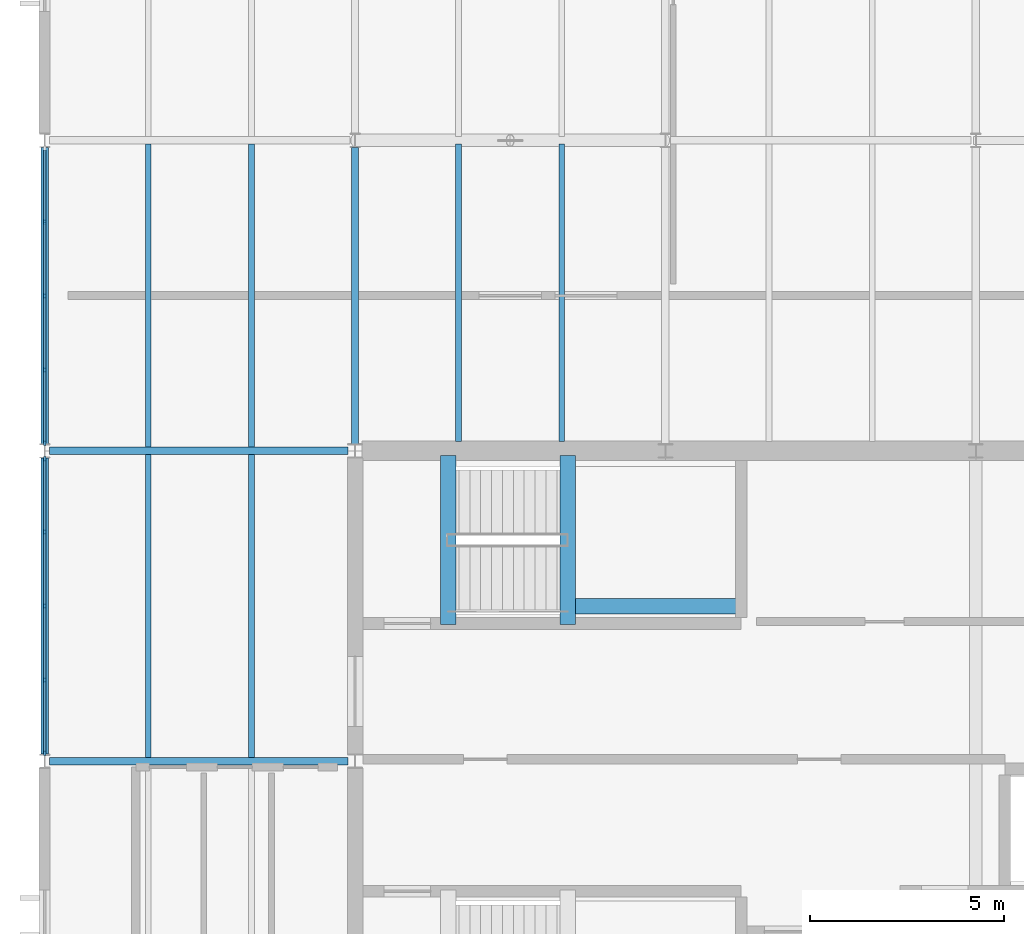
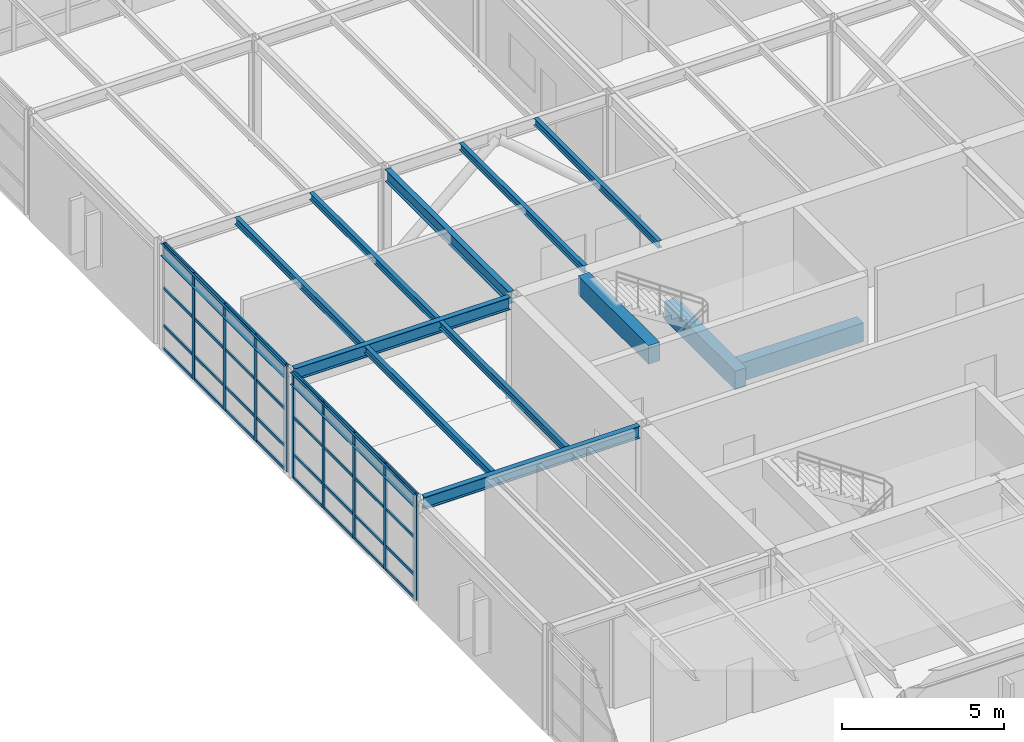
# One storey, part 5 of 20: 41 members, 14 beams, 2 elements without a shape of their own.
"""IFC4 building model written with IfcOpenShell, lengths in metres."""

from ifc_helpers import new_model, si_unit, direction, frame, origin, origin_2d, place, context, subcontext, project, spatial, rectangle, i_section, extrude, material, layer, layer_set, material_profile, profile_set, type_object, element, aggregate, save


model = new_model("IFC4")

# Units and contexts
model_context = context("Model", 3, precision=1e-05, world=origin(), true_north=direction((0.0, 1.0)))
body_context = subcontext(model_context, "Body", "Model", "MODEL_VIEW")
ifc_project = project(units=[si_unit("LENGTHUNIT", "METRE"), si_unit("AREAUNIT", "SQUARE_METRE"), si_unit("VOLUMEUNIT", "CUBIC_METRE"), si_unit("PLANEANGLEUNIT", "RADIAN"), si_unit("MASSUNIT", "GRAM", prefix="KILO")], contexts=[model_context])

# Site, building, storey
site_placement = place(None, origin())
site = spatial("IfcSite", under=ifc_project, at=site_placement, CompositionType="ELEMENT")
building_placement = place(site_placement, origin())
building = spatial("IfcBuilding", under=site, at=building_placement, Name="Varnela Railside Interchange", CompositionType="ELEMENT")
storey_placement = place(building_placement, frame((0.0, 0.0, 28.0)))
storey = spatial("IfcBuildingStorey", under=building, at=storey_placement, Name="L06", CompositionType="ELEMENT", Elevation=28.0)

# Beams
ifc_material_1 = material(Name="Steel AR 350 (350 MPa)", Category="steel")
ifc_material_profile_1 = material_profile(ifc_material_1, i_section(OverallWidth=0.14794921875, OverallDepth=0.26611328125, WebThickness=0.007568359375, FlangeThickness=0.012939453125, at=origin_2d()), Name="W250x44.8")
ifc_profile_set_1 = profile_set([ifc_material_profile_1], Name="Steel AR 350 (350 MPa)")
beam_type_1 = type_object("IfcBeamType", Name="Composite Floor Joist J-05", PredefinedType="JOIST", material=ifc_profile_set_1)
for number, where, z_axis, x_axis, name in (
    (1, (6.669921875, 62.095947265625, 3.846923828125), (0.0, 1.0, 0.0), (-1.0, 0.0, 0.0), "Composite Floor Joist J-05 (L06) (BM-2646)"),
    (2, (9.330078125, 62.095947265625, 3.846923828125), (0.0, 1.0, 0.0), (-1.0, 0.0, 0.0), "Composite Floor Joist J-05 (L06) (BM-2647)"),
    (3, (6.669921875, 70.095947265625, 3.846923828125), (0.0, 1.0, 0.0), (-1.0, 0.0, 0.0), "Composite Floor Joist J-05 (L06) (BM-2648)"),
    (4, (9.330078125, 70.095947265625, 3.846923828125), (0.0, 1.0, 0.0), (-1.0, 0.0, 0.0), "Composite Floor Joist J-05 (L06) (BM-2649)"),
):
    element("IfcBeam", number, at=place(storey_placement, frame(where, z_axis=z_axis, x_axis=x_axis)), inside=storey, type_object=beam_type_1, Name=name, PredefinedType="JOIST", context=body_context, shape_type="SweptSolid", body=[
        extrude(i_section(OverallWidth=0.14794921875, OverallDepth=0.26611328125, WebThickness=0.007568359375, FlangeThickness=0.012939453125, at=origin_2d()), origin(), (0.0, 0.0, 1.0), 7.80810546875),
    ])
for number, where, z_axis, x_axis, name in (
    (5, (14.669921875, 70.239990234375, 3.846923828125), (0.0, 1.0, 0.0), (-1.0, 0.0, 0.0), "Composite Floor Joist J-05 (L06) (BM-2656)"),
    (6, (17.330078125, 70.239990234375, 3.846923828125), (0.0, 1.0, 0.0), (-1.0, 0.0, 0.0), "Composite Floor Joist J-05 (L06) (BM-2657)"),
):
    element("IfcBeam", number, at=place(storey_placement, frame(where, z_axis=z_axis, x_axis=x_axis)), inside=storey, type_object=beam_type_1, Name=name, PredefinedType="JOIST", context=body_context, shape_type="SweptSolid", body=[
        extrude(i_section(OverallWidth=0.14794921875, OverallDepth=0.26611328125, WebThickness=0.007568359375, FlangeThickness=0.012939453125, at=origin_2d()), origin(), (0.0, 0.0, 1.0), 7.6640625),
    ])
ifc_material_profile_2 = material_profile(ifc_material_1, i_section(OverallWidth=0.18994140625, OverallDepth=0.45703125, WebThickness=0.009033203125, FlangeThickness=0.014404296875, at=origin_2d()), Name="W460x74")
ifc_profile_set_2 = profile_set([ifc_material_profile_2], Name="Steel AR 350 (350 MPa)")
beam_type_2 = type_object("IfcBeamType", Name="Composite Primary Beam B-21", PredefinedType="BEAM", material=ifc_profile_set_2)
beam_1_placement = place(storey_placement, frame((12.0, 70.179931640625, 3.75146484375), z_axis=(0.0, 1.0, 0.0), x_axis=(-1.0, 0.0, 0.0)))
element("IfcBeam", 7, at=beam_1_placement, inside=storey, type_object=beam_type_2, Name="Composite Primary Beam B-21 (L06) (BM-2702)", PredefinedType="BEAM", context=body_context, shape_type="SweptSolid", body=[
    extrude(i_section(OverallWidth=0.18994140625, OverallDepth=0.45703125, WebThickness=0.009033203125, FlangeThickness=0.014404296875, at=origin_2d()), origin(), (0.0, 0.0, 1.0), 7.638671875),
])
ifc_material_2 = material(Name="Concrete C40", Category="concrete")
ifc_material_profile_3 = material_profile(ifc_material_2, rectangle(XDim=0.39990234375, YDim=0.699951171875, at=origin_2d()), Name="RC 400x700")
ifc_profile_set_3 = profile_set([ifc_material_profile_3], Name="Concrete C40")
beam_type_3 = type_object("IfcBeamType", Name="Concrete Tie Beam B-01", PredefinedType="BEAM", material=ifc_profile_set_3)
for number, where, z_axis, x_axis, name in (
    (8, (14.39990234375, 65.52001953125, 3.6298828125), (0.0, 1.0, 0.0), (-1.0, 0.0, 0.0), "Concrete Tie Beam B-01 (L06) (BM-2725)"),
    (9, (17.47998046875, 65.52001953125, 1.590087890625), (0.0, 1.0, 0.0), (-1.0, 0.0, 0.0), "Concrete Tie Beam B-01 (L06) (BM-2723)"),
):
    element("IfcBeam", number, at=place(storey_placement, frame(where, z_axis=z_axis, x_axis=x_axis)), inside=storey, type_object=beam_type_3, Name=name, PredefinedType="BEAM", context=body_context, shape_type="SweptSolid", body=[
        extrude(rectangle(XDim=0.39990234375, YDim=0.699951171875, at=origin_2d()), origin(), (0.0, 0.0, 1.0), 4.35986328125),
    ])
beam_2_placement = place(storey_placement, frame((17.679931640625, 66.0, 1.590087890625), z_axis=(1.0, 0.0, 0.0), x_axis=(0.0, 1.0, 0.0)))
element("IfcBeam", 10, at=beam_2_placement, inside=storey, type_object=beam_type_3, Name="Concrete Tie Beam B-01 (L06) (BM-2720)", PredefinedType="BEAM", context=body_context, shape_type="SweptSolid", body=[
    extrude(rectangle(XDim=0.39990234375, YDim=0.699951171875, at=origin_2d()), origin(), (0.0, 0.0, 1.0), 4.340087890625),
])

# Curtain wall, members
ifc_material_3 = material(Name="Aluminium 6063-T6", Category="aluminium")
ifc_layer = layer(ifc_material_3, 0.035888671875)
ifc_layer_set = layer_set([ifc_layer], Name="Aluminium 6063-T6")
curtain_wall_type = type_object("IfcCurtainWallType", Name="Operations Wing Facade Curtain Wall CW-03", PredefinedType="USERDEFINED", material=ifc_layer_set)
curtain_wall_1_placement = place(storey_placement, origin())
curtain_wall_1 = element("IfcCurtainWall", 11, at=curtain_wall_1_placement, inside=storey, type_object=curtain_wall_type, Name="Curtain Wall CW-03 (L06) (CW-147)", ObjectType="CURTAIN WALL", PredefinedType="USERDEFINED")
ifc_material_profile_4 = material_profile(ifc_material_3, rectangle(XDim=0.06005859375, YDim=0.139892578125, at=origin_2d()), Name="ALU 60x140")
ifc_profile_set_4 = profile_set([ifc_material_profile_4], Name="Aluminium 6063-T6")
member_type_1 = type_object("IfcMemberType", Name="Curtain Wall Mullion ML-01", PredefinedType="MULLION", material=ifc_profile_set_4)
member_1_placement = place(storey_placement, frame((4.0, 62.21142578125, 0.0), z_axis=(0.0, 0.0, 1.0), x_axis=(-1.0, 0.0, 0.0)))
member_1 = element("IfcMember", 12, at=member_1_placement, type_object=member_type_1, Name="CW-03 mullion 1", PredefinedType="MULLION", context=body_context, shape_type="SweptSolid", body=[
    extrude(rectangle(XDim=0.06005859375, YDim=0.139892578125, at=origin_2d()), origin(), (0.0, 0.0, 1.0), 3.97998046875),
])
member_2_placement = place(storey_placement, frame((4.0, 64.0908203125, 0.0), z_axis=(0.0, 0.0, 1.0), x_axis=(-1.0, 0.0, 0.0)))
member_2 = element("IfcMember", 13, at=member_2_placement, type_object=member_type_1, Name="CW-03 mullion 2", PredefinedType="MULLION", context=body_context, shape_type="SweptSolid", body=[
    extrude(rectangle(XDim=0.06005859375, YDim=0.139892578125, at=origin_2d()), origin(), (0.0, 0.0, 1.0), 3.97998046875),
])
member_3_placement = place(storey_placement, frame((4.0, 66.0, 0.0), z_axis=(0.0, 0.0, 1.0), x_axis=(-1.0, 0.0, 0.0)))
member_3 = element("IfcMember", 14, at=member_3_placement, type_object=member_type_1, Name="CW-03 mullion 3", PredefinedType="MULLION", context=body_context, shape_type="SweptSolid", body=[
    extrude(rectangle(XDim=0.06005859375, YDim=0.139892578125, at=origin_2d()), origin(), (0.0, 0.0, 1.0), 3.97998046875),
])
member_4_placement = place(storey_placement, frame((4.0, 67.9091796875, 0.0), z_axis=(0.0, 0.0, 1.0), x_axis=(-1.0, 0.0, 0.0)))
member_4 = element("IfcMember", 15, at=member_4_placement, type_object=member_type_1, Name="CW-03 mullion 4", PredefinedType="MULLION", context=body_context, shape_type="SweptSolid", body=[
    extrude(rectangle(XDim=0.06005859375, YDim=0.139892578125, at=origin_2d()), origin(), (0.0, 0.0, 1.0), 3.97998046875),
])
member_5_placement = place(storey_placement, frame((4.0, 69.78857421875, 0.0), z_axis=(0.0, 0.0, 1.0), x_axis=(-1.0, 0.0, 0.0)))
member_5 = element("IfcMember", 16, at=member_5_placement, type_object=member_type_1, Name="CW-03 mullion 5", PredefinedType="MULLION", context=body_context, shape_type="SweptSolid", body=[
    extrude(rectangle(XDim=0.06005859375, YDim=0.139892578125, at=origin_2d()), origin(), (0.0, 0.0, 1.0), 3.97998046875),
])

curtain_wall_2_placement = place(storey_placement, origin())
curtain_wall_2 = element("IfcCurtainWall", 17, at=curtain_wall_2_placement, inside=storey, type_object=curtain_wall_type, Name="Curtain Wall CW-03 (L06) (CW-148)", ObjectType="CURTAIN WALL", PredefinedType="USERDEFINED")
member_6_placement = place(storey_placement, frame((4.0, 70.21142578125, 0.0), z_axis=(0.0, 0.0, 1.0), x_axis=(-1.0, 0.0, 0.0)))
member_6 = element("IfcMember", 18, at=member_6_placement, type_object=member_type_1, Name="CW-03 mullion 1", PredefinedType="MULLION", context=body_context, shape_type="SweptSolid", body=[
    extrude(rectangle(XDim=0.06005859375, YDim=0.139892578125, at=origin_2d()), origin(), (0.0, 0.0, 1.0), 3.97998046875),
])
member_7_placement = place(storey_placement, frame((4.0, 72.0908203125, 0.0), z_axis=(0.0, 0.0, 1.0), x_axis=(-1.0, 0.0, 0.0)))
member_7 = element("IfcMember", 19, at=member_7_placement, type_object=member_type_1, Name="CW-03 mullion 2", PredefinedType="MULLION", context=body_context, shape_type="SweptSolid", body=[
    extrude(rectangle(XDim=0.06005859375, YDim=0.139892578125, at=origin_2d()), origin(), (0.0, 0.0, 1.0), 3.97998046875),
])
member_8_placement = place(storey_placement, frame((4.0, 74.0, 0.0), z_axis=(0.0, 0.0, 1.0), x_axis=(-1.0, 0.0, 0.0)))
member_8 = element("IfcMember", 20, at=member_8_placement, type_object=member_type_1, Name="CW-03 mullion 3", PredefinedType="MULLION", context=body_context, shape_type="SweptSolid", body=[
    extrude(rectangle(XDim=0.06005859375, YDim=0.139892578125, at=origin_2d()), origin(), (0.0, 0.0, 1.0), 3.97998046875),
])
member_9_placement = place(storey_placement, frame((4.0, 75.9091796875, 0.0), z_axis=(0.0, 0.0, 1.0), x_axis=(-1.0, 0.0, 0.0)))
member_9 = element("IfcMember", 21, at=member_9_placement, type_object=member_type_1, Name="CW-03 mullion 4", PredefinedType="MULLION", context=body_context, shape_type="SweptSolid", body=[
    extrude(rectangle(XDim=0.06005859375, YDim=0.139892578125, at=origin_2d()), origin(), (0.0, 0.0, 1.0), 3.97998046875),
])

# Member
ifc_material_profile_5 = material_profile(ifc_material_3, rectangle(XDim=0.06005859375, YDim=0.110107421875, at=origin_2d()), Name="ALU 60x110")
ifc_profile_set_5 = profile_set([ifc_material_profile_5], Name="Aluminium 6063-T6")
member_type_2 = type_object("IfcMemberType", Name="Curtain Wall Transom TR-01", PredefinedType="USERDEFINED", material=ifc_profile_set_5)
member_10_placement = place(storey_placement, frame((4.0, 62.241455078125, 0.030029296875), z_axis=(0.0, 1.0, 0.0), x_axis=(-1.0, 0.0, 0.0)))
member_10 = element("IfcMember", 22, at=member_10_placement, type_object=member_type_2, Name="CW-03 transom 1.1", ObjectType="TRANSOM", PredefinedType="USERDEFINED", context=body_context, shape_type="SweptSolid", body=[
    extrude(rectangle(XDim=0.06005859375, YDim=0.110107421875, at=origin_2d()), origin(), (0.0, 0.0, 1.0), 1.8193359375),
])

member_11_placement = place(storey_placement, frame((4.0, 62.241455078125, 0.89990234375), z_axis=(0.0, 1.0, 0.0), x_axis=(-1.0, 0.0, 0.0)))
member_11 = element("IfcMember", 23, at=member_11_placement, type_object=member_type_2, Name="CW-03 transom 1.2", ObjectType="TRANSOM", PredefinedType="USERDEFINED", context=body_context, shape_type="SweptSolid", body=[
    extrude(rectangle(XDim=0.06005859375, YDim=0.110107421875, at=origin_2d()), origin(), (0.0, 0.0, 1.0), 1.8193359375),
])

member_12_placement = place(storey_placement, frame((4.0, 62.241455078125, 2.308349609375), z_axis=(0.0, 1.0, 0.0), x_axis=(-1.0, 0.0, 0.0)))
member_12 = element("IfcMember", 24, at=member_12_placement, type_object=member_type_2, Name="CW-03 transom 1.3", ObjectType="TRANSOM", PredefinedType="USERDEFINED", context=body_context, shape_type="SweptSolid", body=[
    extrude(rectangle(XDim=0.06005859375, YDim=0.110107421875, at=origin_2d()), origin(), (0.0, 0.0, 1.0), 1.8193359375),
])

member_13_placement = place(storey_placement, frame((4.0, 62.241455078125, 3.949951171875), z_axis=(0.0, 1.0, 0.0), x_axis=(-1.0, 0.0, 0.0)))
member_13 = element("IfcMember", 25, at=member_13_placement, type_object=member_type_2, Name="CW-03 transom 1.4", ObjectType="TRANSOM", PredefinedType="USERDEFINED", context=body_context, shape_type="SweptSolid", body=[
    extrude(rectangle(XDim=0.06005859375, YDim=0.110107421875, at=origin_2d()), origin(), (0.0, 0.0, 1.0), 1.8193359375),
])

member_14_placement = place(storey_placement, frame((4.0, 64.120849609375, 0.030029296875), z_axis=(0.0, 1.0, 0.0), x_axis=(-1.0, 0.0, 0.0)))
member_14 = element("IfcMember", 26, at=member_14_placement, type_object=member_type_2, Name="CW-03 transom 2.1", ObjectType="TRANSOM", PredefinedType="USERDEFINED", context=body_context, shape_type="SweptSolid", body=[
    extrude(rectangle(XDim=0.06005859375, YDim=0.110107421875, at=origin_2d()), origin(), (0.0, 0.0, 1.0), 1.84912109375),
])

member_15_placement = place(storey_placement, frame((4.0, 64.120849609375, 0.89990234375), z_axis=(0.0, 1.0, 0.0), x_axis=(-1.0, 0.0, 0.0)))
member_15 = element("IfcMember", 27, at=member_15_placement, type_object=member_type_2, Name="CW-03 transom 2.2", ObjectType="TRANSOM", PredefinedType="USERDEFINED", context=body_context, shape_type="SweptSolid", body=[
    extrude(rectangle(XDim=0.06005859375, YDim=0.110107421875, at=origin_2d()), origin(), (0.0, 0.0, 1.0), 1.84912109375),
])

member_16_placement = place(storey_placement, frame((4.0, 64.120849609375, 2.308349609375), z_axis=(0.0, 1.0, 0.0), x_axis=(-1.0, 0.0, 0.0)))
member_16 = element("IfcMember", 28, at=member_16_placement, type_object=member_type_2, Name="CW-03 transom 2.3", ObjectType="TRANSOM", PredefinedType="USERDEFINED", context=body_context, shape_type="SweptSolid", body=[
    extrude(rectangle(XDim=0.06005859375, YDim=0.110107421875, at=origin_2d()), origin(), (0.0, 0.0, 1.0), 1.84912109375),
])

member_17_placement = place(storey_placement, frame((4.0, 64.120849609375, 3.949951171875), z_axis=(0.0, 1.0, 0.0), x_axis=(-1.0, 0.0, 0.0)))
member_17 = element("IfcMember", 29, at=member_17_placement, type_object=member_type_2, Name="CW-03 transom 2.4", ObjectType="TRANSOM", PredefinedType="USERDEFINED", context=body_context, shape_type="SweptSolid", body=[
    extrude(rectangle(XDim=0.06005859375, YDim=0.110107421875, at=origin_2d()), origin(), (0.0, 0.0, 1.0), 1.84912109375),
])

member_18_placement = place(storey_placement, frame((4.0, 66.030029296875, 0.030029296875), z_axis=(0.0, 1.0, 0.0), x_axis=(-1.0, 0.0, 0.0)))
member_18 = element("IfcMember", 30, at=member_18_placement, type_object=member_type_2, Name="CW-03 transom 3.1", ObjectType="TRANSOM", PredefinedType="USERDEFINED", context=body_context, shape_type="SweptSolid", body=[
    extrude(rectangle(XDim=0.06005859375, YDim=0.110107421875, at=origin_2d()), origin(), (0.0, 0.0, 1.0), 1.84912109375),
])

member_19_placement = place(storey_placement, frame((4.0, 66.030029296875, 0.89990234375), z_axis=(0.0, 1.0, 0.0), x_axis=(-1.0, 0.0, 0.0)))
member_19 = element("IfcMember", 31, at=member_19_placement, type_object=member_type_2, Name="CW-03 transom 3.2", ObjectType="TRANSOM", PredefinedType="USERDEFINED", context=body_context, shape_type="SweptSolid", body=[
    extrude(rectangle(XDim=0.06005859375, YDim=0.110107421875, at=origin_2d()), origin(), (0.0, 0.0, 1.0), 1.84912109375),
])

member_20_placement = place(storey_placement, frame((4.0, 66.030029296875, 2.308349609375), z_axis=(0.0, 1.0, 0.0), x_axis=(-1.0, 0.0, 0.0)))
member_20 = element("IfcMember", 32, at=member_20_placement, type_object=member_type_2, Name="CW-03 transom 3.3", ObjectType="TRANSOM", PredefinedType="USERDEFINED", context=body_context, shape_type="SweptSolid", body=[
    extrude(rectangle(XDim=0.06005859375, YDim=0.110107421875, at=origin_2d()), origin(), (0.0, 0.0, 1.0), 1.84912109375),
])

member_21_placement = place(storey_placement, frame((4.0, 66.030029296875, 3.949951171875), z_axis=(0.0, 1.0, 0.0), x_axis=(-1.0, 0.0, 0.0)))
member_21 = element("IfcMember", 33, at=member_21_placement, type_object=member_type_2, Name="CW-03 transom 3.4", ObjectType="TRANSOM", PredefinedType="USERDEFINED", context=body_context, shape_type="SweptSolid", body=[
    extrude(rectangle(XDim=0.06005859375, YDim=0.110107421875, at=origin_2d()), origin(), (0.0, 0.0, 1.0), 1.84912109375),
])

member_22_placement = place(storey_placement, frame((4.0, 67.939208984375, 0.030029296875), z_axis=(0.0, 1.0, 0.0), x_axis=(-1.0, 0.0, 0.0)))
member_22 = element("IfcMember", 34, at=member_22_placement, type_object=member_type_2, Name="CW-03 transom 4.1", ObjectType="TRANSOM", PredefinedType="USERDEFINED", context=body_context, shape_type="SweptSolid", body=[
    extrude(rectangle(XDim=0.06005859375, YDim=0.110107421875, at=origin_2d()), origin(), (0.0, 0.0, 1.0), 1.8193359375),
])

member_23_placement = place(storey_placement, frame((4.0, 67.939208984375, 0.89990234375), z_axis=(0.0, 1.0, 0.0), x_axis=(-1.0, 0.0, 0.0)))
member_23 = element("IfcMember", 35, at=member_23_placement, type_object=member_type_2, Name="CW-03 transom 4.2", ObjectType="TRANSOM", PredefinedType="USERDEFINED", context=body_context, shape_type="SweptSolid", body=[
    extrude(rectangle(XDim=0.06005859375, YDim=0.110107421875, at=origin_2d()), origin(), (0.0, 0.0, 1.0), 1.8193359375),
])

member_24_placement = place(storey_placement, frame((4.0, 67.939208984375, 2.308349609375), z_axis=(0.0, 1.0, 0.0), x_axis=(-1.0, 0.0, 0.0)))
member_24 = element("IfcMember", 36, at=member_24_placement, type_object=member_type_2, Name="CW-03 transom 4.3", ObjectType="TRANSOM", PredefinedType="USERDEFINED", context=body_context, shape_type="SweptSolid", body=[
    extrude(rectangle(XDim=0.06005859375, YDim=0.110107421875, at=origin_2d()), origin(), (0.0, 0.0, 1.0), 1.8193359375),
])

member_25_placement = place(storey_placement, frame((4.0, 67.939208984375, 3.949951171875), z_axis=(0.0, 1.0, 0.0), x_axis=(-1.0, 0.0, 0.0)))
member_25 = element("IfcMember", 37, at=member_25_placement, type_object=member_type_2, Name="CW-03 transom 4.4", ObjectType="TRANSOM", PredefinedType="USERDEFINED", context=body_context, shape_type="SweptSolid", body=[
    extrude(rectangle(XDim=0.06005859375, YDim=0.110107421875, at=origin_2d()), origin(), (0.0, 0.0, 1.0), 1.8193359375),
])

aggregate(curtain_wall_1, [member_1, member_2, member_3, member_4, member_5, member_10, member_11, member_12, member_13, member_14, member_15, member_16, member_17, member_18, member_19, member_20, member_21, member_22, member_23, member_24, member_25])

member_26_placement = place(storey_placement, frame((4.0, 70.241455078125, 0.030029296875), z_axis=(0.0, 1.0, 0.0), x_axis=(-1.0, 0.0, 0.0)))
member_26 = element("IfcMember", 38, at=member_26_placement, type_object=member_type_2, Name="CW-03 transom 1.1", ObjectType="TRANSOM", PredefinedType="USERDEFINED", context=body_context, shape_type="SweptSolid", body=[
    extrude(rectangle(XDim=0.06005859375, YDim=0.110107421875, at=origin_2d()), origin(), (0.0, 0.0, 1.0), 1.8193359375),
])

member_27_placement = place(storey_placement, frame((4.0, 70.241455078125, 0.89990234375), z_axis=(0.0, 1.0, 0.0), x_axis=(-1.0, 0.0, 0.0)))
member_27 = element("IfcMember", 39, at=member_27_placement, type_object=member_type_2, Name="CW-03 transom 1.2", ObjectType="TRANSOM", PredefinedType="USERDEFINED", context=body_context, shape_type="SweptSolid", body=[
    extrude(rectangle(XDim=0.06005859375, YDim=0.110107421875, at=origin_2d()), origin(), (0.0, 0.0, 1.0), 1.8193359375),
])

member_28_placement = place(storey_placement, frame((4.0, 70.241455078125, 2.308349609375), z_axis=(0.0, 1.0, 0.0), x_axis=(-1.0, 0.0, 0.0)))
member_28 = element("IfcMember", 40, at=member_28_placement, type_object=member_type_2, Name="CW-03 transom 1.3", ObjectType="TRANSOM", PredefinedType="USERDEFINED", context=body_context, shape_type="SweptSolid", body=[
    extrude(rectangle(XDim=0.06005859375, YDim=0.110107421875, at=origin_2d()), origin(), (0.0, 0.0, 1.0), 1.8193359375),
])

member_29_placement = place(storey_placement, frame((4.0, 70.241455078125, 3.949951171875), z_axis=(0.0, 1.0, 0.0), x_axis=(-1.0, 0.0, 0.0)))
member_29 = element("IfcMember", 41, at=member_29_placement, type_object=member_type_2, Name="CW-03 transom 1.4", ObjectType="TRANSOM", PredefinedType="USERDEFINED", context=body_context, shape_type="SweptSolid", body=[
    extrude(rectangle(XDim=0.06005859375, YDim=0.110107421875, at=origin_2d()), origin(), (0.0, 0.0, 1.0), 1.8193359375),
])

member_30_placement = place(storey_placement, frame((4.0, 72.120849609375, 0.030029296875), z_axis=(0.0, 1.0, 0.0), x_axis=(-1.0, 0.0, 0.0)))
member_30 = element("IfcMember", 42, at=member_30_placement, type_object=member_type_2, Name="CW-03 transom 2.1", ObjectType="TRANSOM", PredefinedType="USERDEFINED", context=body_context, shape_type="SweptSolid", body=[
    extrude(rectangle(XDim=0.06005859375, YDim=0.110107421875, at=origin_2d()), origin(), (0.0, 0.0, 1.0), 1.84912109375),
])

member_31_placement = place(storey_placement, frame((4.0, 72.120849609375, 0.89990234375), z_axis=(0.0, 1.0, 0.0), x_axis=(-1.0, 0.0, 0.0)))
member_31 = element("IfcMember", 43, at=member_31_placement, type_object=member_type_2, Name="CW-03 transom 2.2", ObjectType="TRANSOM", PredefinedType="USERDEFINED", context=body_context, shape_type="SweptSolid", body=[
    extrude(rectangle(XDim=0.06005859375, YDim=0.110107421875, at=origin_2d()), origin(), (0.0, 0.0, 1.0), 1.84912109375),
])

member_32_placement = place(storey_placement, frame((4.0, 72.120849609375, 2.308349609375), z_axis=(0.0, 1.0, 0.0), x_axis=(-1.0, 0.0, 0.0)))
member_32 = element("IfcMember", 44, at=member_32_placement, type_object=member_type_2, Name="CW-03 transom 2.3", ObjectType="TRANSOM", PredefinedType="USERDEFINED", context=body_context, shape_type="SweptSolid", body=[
    extrude(rectangle(XDim=0.06005859375, YDim=0.110107421875, at=origin_2d()), origin(), (0.0, 0.0, 1.0), 1.84912109375),
])

member_33_placement = place(storey_placement, frame((4.0, 72.120849609375, 3.949951171875), z_axis=(0.0, 1.0, 0.0), x_axis=(-1.0, 0.0, 0.0)))
member_33 = element("IfcMember", 45, at=member_33_placement, type_object=member_type_2, Name="CW-03 transom 2.4", ObjectType="TRANSOM", PredefinedType="USERDEFINED", context=body_context, shape_type="SweptSolid", body=[
    extrude(rectangle(XDim=0.06005859375, YDim=0.110107421875, at=origin_2d()), origin(), (0.0, 0.0, 1.0), 1.84912109375),
])

member_34_placement = place(storey_placement, frame((4.0, 74.030029296875, 0.030029296875), z_axis=(0.0, 1.0, 0.0), x_axis=(-1.0, 0.0, 0.0)))
member_34 = element("IfcMember", 46, at=member_34_placement, type_object=member_type_2, Name="CW-03 transom 3.1", ObjectType="TRANSOM", PredefinedType="USERDEFINED", context=body_context, shape_type="SweptSolid", body=[
    extrude(rectangle(XDim=0.06005859375, YDim=0.110107421875, at=origin_2d()), origin(), (0.0, 0.0, 1.0), 1.84912109375),
])

member_35_placement = place(storey_placement, frame((4.0, 74.030029296875, 0.89990234375), z_axis=(0.0, 1.0, 0.0), x_axis=(-1.0, 0.0, 0.0)))
member_35 = element("IfcMember", 47, at=member_35_placement, type_object=member_type_2, Name="CW-03 transom 3.2", ObjectType="TRANSOM", PredefinedType="USERDEFINED", context=body_context, shape_type="SweptSolid", body=[
    extrude(rectangle(XDim=0.06005859375, YDim=0.110107421875, at=origin_2d()), origin(), (0.0, 0.0, 1.0), 1.84912109375),
])

member_36_placement = place(storey_placement, frame((4.0, 74.030029296875, 2.308349609375), z_axis=(0.0, 1.0, 0.0), x_axis=(-1.0, 0.0, 0.0)))
member_36 = element("IfcMember", 48, at=member_36_placement, type_object=member_type_2, Name="CW-03 transom 3.3", ObjectType="TRANSOM", PredefinedType="USERDEFINED", context=body_context, shape_type="SweptSolid", body=[
    extrude(rectangle(XDim=0.06005859375, YDim=0.110107421875, at=origin_2d()), origin(), (0.0, 0.0, 1.0), 1.84912109375),
])

member_37_placement = place(storey_placement, frame((4.0, 74.030029296875, 3.949951171875), z_axis=(0.0, 1.0, 0.0), x_axis=(-1.0, 0.0, 0.0)))
member_37 = element("IfcMember", 49, at=member_37_placement, type_object=member_type_2, Name="CW-03 transom 3.4", ObjectType="TRANSOM", PredefinedType="USERDEFINED", context=body_context, shape_type="SweptSolid", body=[
    extrude(rectangle(XDim=0.06005859375, YDim=0.110107421875, at=origin_2d()), origin(), (0.0, 0.0, 1.0), 1.84912109375),
])

member_38_placement = place(storey_placement, frame((4.0, 75.939208984375, 0.030029296875), z_axis=(0.0, 1.0, 0.0), x_axis=(-1.0, 0.0, 0.0)))
member_38 = element("IfcMember", 50, at=member_38_placement, type_object=member_type_2, Name="CW-03 transom 4.1", ObjectType="TRANSOM", PredefinedType="USERDEFINED", context=body_context, shape_type="SweptSolid", body=[
    extrude(rectangle(XDim=0.06005859375, YDim=0.110107421875, at=origin_2d()), origin(), (0.0, 0.0, 1.0), 1.8193359375),
])

member_39_placement = place(storey_placement, frame((4.0, 75.939208984375, 0.89990234375), z_axis=(0.0, 1.0, 0.0), x_axis=(-1.0, 0.0, 0.0)))
member_39 = element("IfcMember", 51, at=member_39_placement, type_object=member_type_2, Name="CW-03 transom 4.2", ObjectType="TRANSOM", PredefinedType="USERDEFINED", context=body_context, shape_type="SweptSolid", body=[
    extrude(rectangle(XDim=0.06005859375, YDim=0.110107421875, at=origin_2d()), origin(), (0.0, 0.0, 1.0), 1.8193359375),
])

member_40_placement = place(storey_placement, frame((4.0, 75.939208984375, 2.308349609375), z_axis=(0.0, 1.0, 0.0), x_axis=(-1.0, 0.0, 0.0)))
member_40 = element("IfcMember", 52, at=member_40_placement, type_object=member_type_2, Name="CW-03 transom 4.3", ObjectType="TRANSOM", PredefinedType="USERDEFINED", context=body_context, shape_type="SweptSolid", body=[
    extrude(rectangle(XDim=0.06005859375, YDim=0.110107421875, at=origin_2d()), origin(), (0.0, 0.0, 1.0), 1.8193359375),
])

member_41_placement = place(storey_placement, frame((4.0, 75.939208984375, 3.949951171875), z_axis=(0.0, 1.0, 0.0), x_axis=(-1.0, 0.0, 0.0)))
member_41 = element("IfcMember", 53, at=member_41_placement, type_object=member_type_2, Name="CW-03 transom 4.4", ObjectType="TRANSOM", PredefinedType="USERDEFINED", context=body_context, shape_type="SweptSolid", body=[
    extrude(rectangle(XDim=0.06005859375, YDim=0.110107421875, at=origin_2d()), origin(), (0.0, 0.0, 1.0), 1.8193359375),
])

aggregate(curtain_wall_2, [member_6, member_7, member_8, member_9, member_26, member_27, member_28, member_29, member_30, member_31, member_32, member_33, member_34, member_35, member_36, member_37, member_38, member_39, member_40, member_41])

# Beams
ifc_material_profile_6 = material_profile(ifc_material_1, i_section(OverallWidth=0.19091796875, OverallDepth=0.4599609375, WebThickness=0.010009765625, FlangeThickness=0.01611328125, at=origin_2d()), Name="W460x82")
ifc_profile_set_6 = profile_set([ifc_material_profile_6], Name="Steel AR 350 (350 MPa)")
beam_type_4 = type_object("IfcBeamType", Name="Steel Perimeter Spandrel SP-01", PredefinedType="SPANDREL", material=ifc_profile_set_6)
for number, where, z_axis, x_axis, name in (
    (54, (4.12841796875, 62.0, 3.75), (1.0, 0.0, 0.0), (0.0, 1.0, 0.0), "Steel Perimeter Spandrel SP-01 (L06) (BM-2681)"),
    (55, (4.12841796875, 70.0, 3.75), (1.0, 0.0, 0.0), (0.0, 1.0, 0.0), "Steel Perimeter Spandrel SP-01 (L06) (BM-2682)"),
):
    element("IfcBeam", number, at=place(storey_placement, frame(where, z_axis=z_axis, x_axis=x_axis)), inside=storey, type_object=beam_type_4, Name=name, PredefinedType="SPANDREL", context=body_context, shape_type="SweptSolid", body=[
        extrude(i_section(OverallWidth=0.19091796875, OverallDepth=0.4599609375, WebThickness=0.010009765625, FlangeThickness=0.01611328125, at=origin_2d()), origin(), (0.0, 0.0, 1.0), 7.6865234375),
    ])
for number, where, z_axis, x_axis, name in (
    (56, (4.0, 62.181396484375, 3.75), (0.0, 1.0, 0.0), (-1.0, 0.0, 0.0), "Steel Perimeter Spandrel SP-01 (L06) (BM-2697)"),
    (57, (4.0, 70.181396484375, 3.75), (0.0, 1.0, 0.0), (-1.0, 0.0, 0.0), "Steel Perimeter Spandrel SP-01 (L06) (BM-2698)"),
):
    element("IfcBeam", number, at=place(storey_placement, frame(where, z_axis=z_axis, x_axis=x_axis)), inside=storey, type_object=beam_type_4, Name=name, PredefinedType="SPANDREL", context=body_context, shape_type="SweptSolid", body=[
        extrude(i_section(OverallWidth=0.19091796875, OverallDepth=0.4599609375, WebThickness=0.010009765625, FlangeThickness=0.01611328125, at=origin_2d()), origin(), (0.0, 0.0, 1.0), 7.63720703125),
    ])

save(model, "model.ifc")
